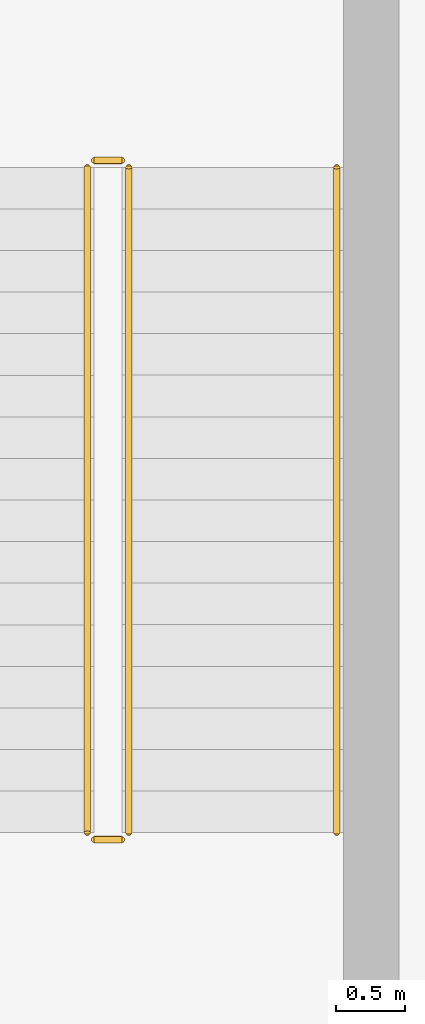
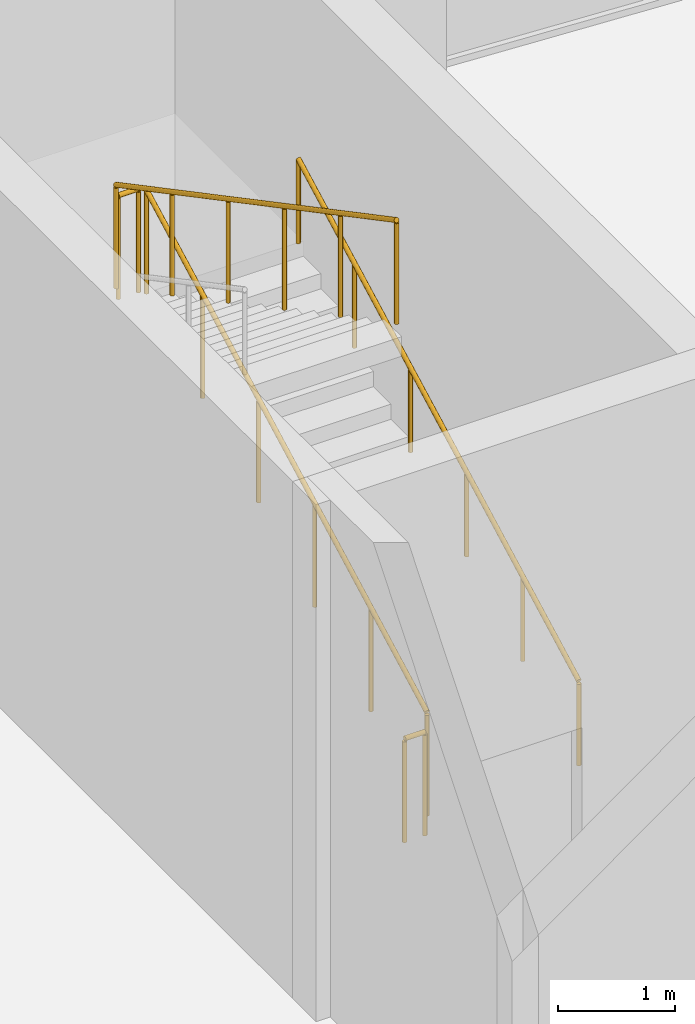
# One storey, part 80 of 86: 5 railings.
"""IFC4 building model written with IfcOpenShell, lengths in metres."""

from ifc_helpers import new_model, si_unit, direction, frame, origin, origin_2d, place, context, subcontext, project, spatial, circle, extrude, material, type_object, element, save


model = new_model("IFC4")

# Units and contexts
model_context = context("Model", 3, precision=1e-05, world=origin(), true_north=direction((0.0, 1.0)))
body_context = subcontext(model_context, "Body", "Model", "MODEL_VIEW")
ifc_project = project(units=[si_unit("LENGTHUNIT", "METRE"), si_unit("AREAUNIT", "SQUARE_METRE"), si_unit("VOLUMEUNIT", "CUBIC_METRE"), si_unit("PLANEANGLEUNIT", "RADIAN"), si_unit("MASSUNIT", "GRAM", prefix="KILO")], contexts=[model_context])

# Site, building, storey
site_placement = place(None, origin())
site = spatial("IfcSite", under=ifc_project, at=site_placement, CompositionType="ELEMENT")
building_placement = place(site_placement, origin())
building = spatial("IfcBuilding", under=site, at=building_placement, Name="Kenh Van Central Station", CompositionType="ELEMENT")
storey_placement = place(building_placement, origin())
storey = spatial("IfcBuildingStorey", under=building, at=storey_placement, Name="L00", CompositionType="ELEMENT", Elevation=0.0)

# Railings
ifc_material = material(Name="Champagne anodised aluminium", Category="aluminium")
railing_type_1 = type_object("IfcRailingType", Name="RAIL-CORE-GRD110", PredefinedType="GUARDRAIL", material=ifc_material)
railing_1_placement = place(storey_placement, frame((107.050048828125, 104.60009765625, 0.158935546875)))
element("IfcRailing", 1, at=railing_1_placement, inside=storey, type_object=railing_type_1, Name="L00 ST-08 stair guard 1", PredefinedType="GUARDRAIL", context=body_context, shape_type="SweptSolid", body=[
    extrude(circle(Radius=0.02392578125, at=origin_2d()), frame((0.0, 0.0, 1.076171875), z_axis=(0.0, 0.883792290195, 0.467879458614), x_axis=(-1.0, 0.0, 0.0)), (0.0, 0.0, 1.0), 5.430908203125),
    extrude(circle(Radius=0.02099609375, at=origin_2d()), origin(), (0.0, 0.0, 1.0), 1.052001953125),
    extrude(circle(Radius=0.02099609375, at=origin_2d()), frame((0.0, 0.9599609375, 0.50830078125)), (0.0, 0.0, 1.0), 1.052001953125),
    extrude(circle(Radius=0.02099609375, at=origin_2d()), frame((0.0, 1.919921875, 1.016357421875)), (0.0, 0.0, 1.0), 1.052001953125),
    extrude(circle(Radius=0.02099609375, at=origin_2d()), frame((0.0, 2.8798828125, 1.524658203125)), (0.0, 0.0, 1.0), 1.052001953125),
    extrude(circle(Radius=0.02099609375, at=origin_2d()), frame((0.0, 3.83984375, 2.03271484375)), (0.0, 0.0, 1.0), 1.052001953125),
    extrude(circle(Radius=0.02099609375, at=origin_2d()), frame((0.0, 4.7998046875, 2.541015625)), (0.0, 0.0, 1.0), 1.052001953125),
])
railing_2_placement = place(storey_placement, frame((107.0, 109.449951171875, 2.699951171875)))
element("IfcRailing", 2, at=railing_2_placement, inside=storey, type_object=railing_type_1, Name="L00 ST-08 stair guard 2", PredefinedType="GUARDRAIL", context=body_context, shape_type="SweptSolid", body=[
    extrude(circle(Radius=0.02392578125, at=origin_2d()), frame((0.0, 0.0, 1.076171875), z_axis=(-1.0, 0.0, 0.0), x_axis=(0.0, -1.0, 0.0)), (0.0, 0.0, 1.0), 0.199951171875),
    extrude(circle(Radius=0.02099609375, at=origin_2d()), origin(), (0.0, 0.0, 1.0), 1.052001953125),
    extrude(circle(Radius=0.02099609375, at=origin_2d()), frame((-0.199951171875, 0.0, 0.0)), (0.0, 0.0, 1.0), 1.052001953125),
])
railing_3_placement = place(storey_placement, frame((106.75, 109.39990234375, 2.85888671875)))
element("IfcRailing", 3, at=railing_3_placement, inside=storey, type_object=railing_type_1, Name="L00 ST-08 stair guard 3", PredefinedType="GUARDRAIL", context=body_context, shape_type="SweptSolid", body=[
    extrude(circle(Radius=0.02392578125, at=origin_2d()), frame((0.0, 0.0, 1.076171875), z_axis=(0.0, -0.883792290195, 0.467879458614), x_axis=(1.0, 0.0, 0.0)), (0.0, 0.0, 1.0), 5.430908203125),
    extrude(circle(Radius=0.02099609375, at=origin_2d()), origin(), (0.0, 0.0, 1.0), 1.052001953125),
    extrude(circle(Radius=0.02099609375, at=origin_2d()), frame((0.0, -0.9599609375, 0.50830078125)), (0.0, 0.0, 1.0), 1.052001953125),
    extrude(circle(Radius=0.02099609375, at=origin_2d()), frame((0.0, -1.919921875, 1.016357421875)), (0.0, 0.0, 1.0), 1.052001953125),
    extrude(circle(Radius=0.02099609375, at=origin_2d()), frame((0.0, -2.8798828125, 1.524658203125)), (0.0, 0.0, 1.0), 1.052001953125),
    extrude(circle(Radius=0.02099609375, at=origin_2d()), frame((0.0, -3.83984375, 2.03271484375)), (0.0, 0.0, 1.0), 1.052001953125),
    extrude(circle(Radius=0.02099609375, at=origin_2d()), frame((0.0, -4.7998046875, 2.541015625)), (0.0, 0.0, 1.0), 1.052001953125),
])
railing_4_placement = place(storey_placement, frame((107.0, 104.550048828125, 0.0)))
element("IfcRailing", 4, at=railing_4_placement, inside=storey, type_object=railing_type_1, Name="L00 ST-08 stair guard 4", PredefinedType="GUARDRAIL", context=body_context, shape_type="SweptSolid", body=[
    extrude(circle(Radius=0.02392578125, at=origin_2d()), frame((0.0, 0.0, 1.076171875), z_axis=(-1.0, 0.0, 0.0), x_axis=(0.0, -1.0, 0.0)), (0.0, 0.0, 1.0), 0.199951171875),
    extrude(circle(Radius=0.02099609375, at=origin_2d()), origin(), (0.0, 0.0, 1.0), 1.052001953125),
    extrude(circle(Radius=0.02099609375, at=origin_2d()), frame((-0.199951171875, 0.0, 0.0)), (0.0, 0.0, 1.0), 1.052001953125),
])
railing_type_2 = type_object("IfcRailingType", Name="RAIL-CORE-HND90", PredefinedType="HANDRAIL", material=ifc_material)
railing_5_placement = place(storey_placement, frame((108.550048828125, 104.60009765625, 0.158935546875)))
element("IfcRailing", 5, at=railing_5_placement, inside=storey, type_object=railing_type_2, Name="L00 ST-08 stair handrail 1", PredefinedType="HANDRAIL", context=body_context, shape_type="SweptSolid", body=[
    extrude(circle(Radius=0.02392578125, at=origin_2d()), frame((0.0, 0.0, 0.8759765625), z_axis=(0.0, 0.883792290195, 0.467879458614), x_axis=(-1.0, 0.0, 0.0)), (0.0, 0.0, 1.0), 5.430908203125),
    extrude(circle(Radius=0.02099609375, at=origin_2d()), origin(), (0.0, 0.0, 1.0), 0.851806640625),
    extrude(circle(Radius=0.02099609375, at=origin_2d()), frame((0.0, 0.9599609375, 0.50830078125)), (0.0, 0.0, 1.0), 0.851806640625),
    extrude(circle(Radius=0.02099609375, at=origin_2d()), frame((0.0, 1.919921875, 1.016357421875)), (0.0, 0.0, 1.0), 0.851806640625),
    extrude(circle(Radius=0.02099609375, at=origin_2d()), frame((0.0, 2.8798828125, 1.524658203125)), (0.0, 0.0, 1.0), 0.851806640625),
    extrude(circle(Radius=0.02099609375, at=origin_2d()), frame((0.0, 3.83984375, 2.03271484375)), (0.0, 0.0, 1.0), 0.851806640625),
    extrude(circle(Radius=0.02099609375, at=origin_2d()), frame((0.0, 4.7998046875, 2.541015625)), (0.0, 0.0, 1.0), 0.851806640625),
])

save(model, "model.ifc")
